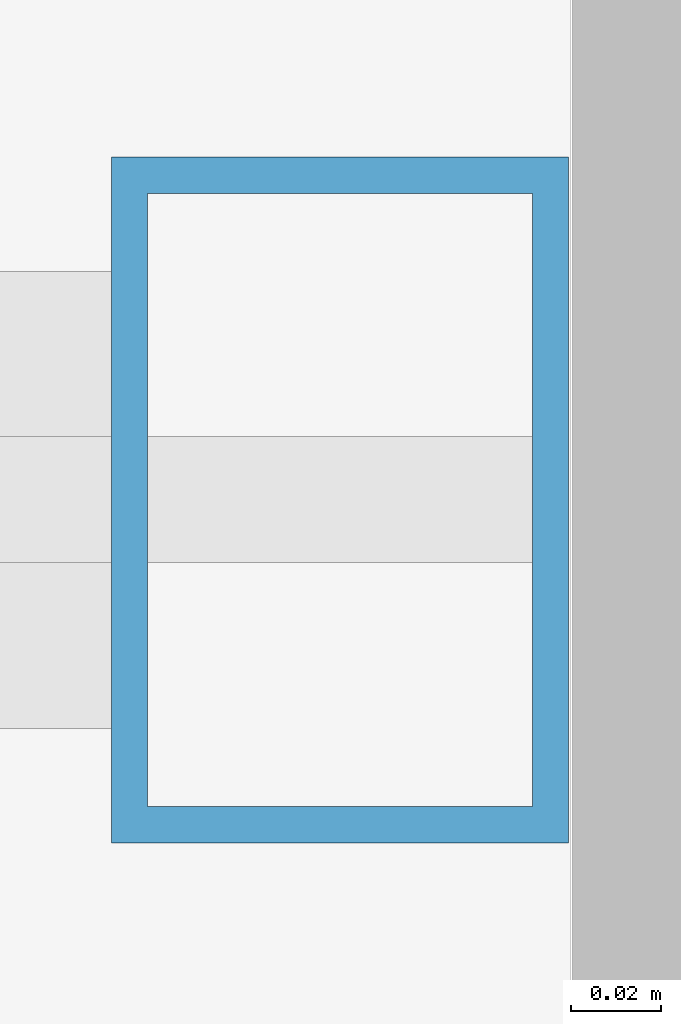
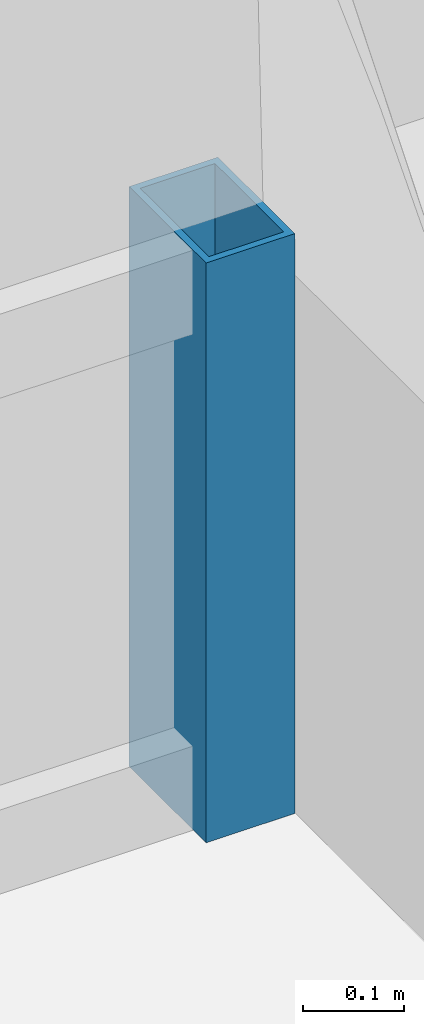
# One storey, part 63 of 169: 1 member, 1 element without a shape of its own.
"""IFC4 building model written with IfcOpenShell, lengths in metres."""

from ifc_helpers import new_model, si_unit, direction, frame, origin, origin_2d, place, context, subcontext, project, spatial, hollow_rectangle, extrude, material, layer, layer_set, material_profile, profile_set, type_object, element, aggregate, save


model = new_model("IFC4")

# Units and contexts
model_context = context("Model", 3, precision=1e-05, world=origin(), true_north=direction((0.0, 1.0)))
body_context = subcontext(model_context, "Body", "Model", "MODEL_VIEW")
ifc_project = project(units=[si_unit("LENGTHUNIT", "METRE"), si_unit("AREAUNIT", "SQUARE_METRE"), si_unit("VOLUMEUNIT", "CUBIC_METRE"), si_unit("PLANEANGLEUNIT", "RADIAN"), si_unit("MASSUNIT", "GRAM", prefix="KILO")], contexts=[model_context])

# Site, building, storey
site_placement = place(None, origin())
site = spatial("IfcSite", under=ifc_project, at=site_placement, CompositionType="ELEMENT")
building_placement = place(site_placement, origin())
building = spatial("IfcBuilding", under=site, at=building_placement, Name="Verrick Yard Athletic Hall", CompositionType="ELEMENT")
storey_placement = place(building_placement, frame((0.0, 0.0, 4.39990234375)))
storey = spatial("IfcBuildingStorey", under=building, at=storey_placement, Name="L01", CompositionType="ELEMENT", Elevation=4.39990234375)

# Curtain wall, member
ifc_material_1 = material(Name="Aluminium and glass curtain wall", Category="aluminium")
ifc_layer = layer(ifc_material_1, 0.14990234375)
ifc_layer_set = layer_set([ifc_layer], Name="Arcade glazing arch")
curtain_wall_type = type_object("IfcCurtainWallType", Name="Arcade glazing arch", PredefinedType="NOTDEFINED", material=ifc_layer_set)
curtain_wall_placement = place(storey_placement, origin())
curtain_wall = element("IfcCurtainWall", 1, at=curtain_wall_placement, inside=storey, type_object=curtain_wall_type, Name="Arcade glazing N2", PredefinedType="NOTDEFINED")
ifc_material_2 = material(Name="Structural steel HSS Class C 350W (CSA G40.20/G40.21)", Category="steel")
ifc_material_profile = material_profile(ifc_material_2, hollow_rectangle(XDim=0.1015625, YDim=0.15234375, WallThickness=0.008056640625, at=origin_2d()), Name="HSS152x102x7.9")
ifc_profile_set = profile_set([ifc_material_profile], Name="Structural steel HSS Class C 350W (CSA G40.20/G40.21)")
member_type = type_object("IfcMemberType", Name="Curtain wall mullion HSS152x102x7.9", PredefinedType="MULLION", material=ifc_profile_set)
member_placement = place(storey_placement, frame((72.3486328125, 53.10009765625, 0.0), z_axis=(0.0, 0.0, 1.0), x_axis=(1.0, 0.0, 0.0)))
member = element("IfcMember", 2, at=member_placement, type_object=member_type, Name="Arcade glazing N2 mullion 9", PredefinedType="MULLION", context=body_context, shape_type="SweptSolid", body=[
    extrude(hollow_rectangle(XDim=0.1015625, YDim=0.15234375, WallThickness=0.008056640625, at=origin_2d()), origin(), (0.0, 0.0, 1.0), 0.700927734375),
])
aggregate(curtain_wall, [member])

save(model, "model.ifc")
